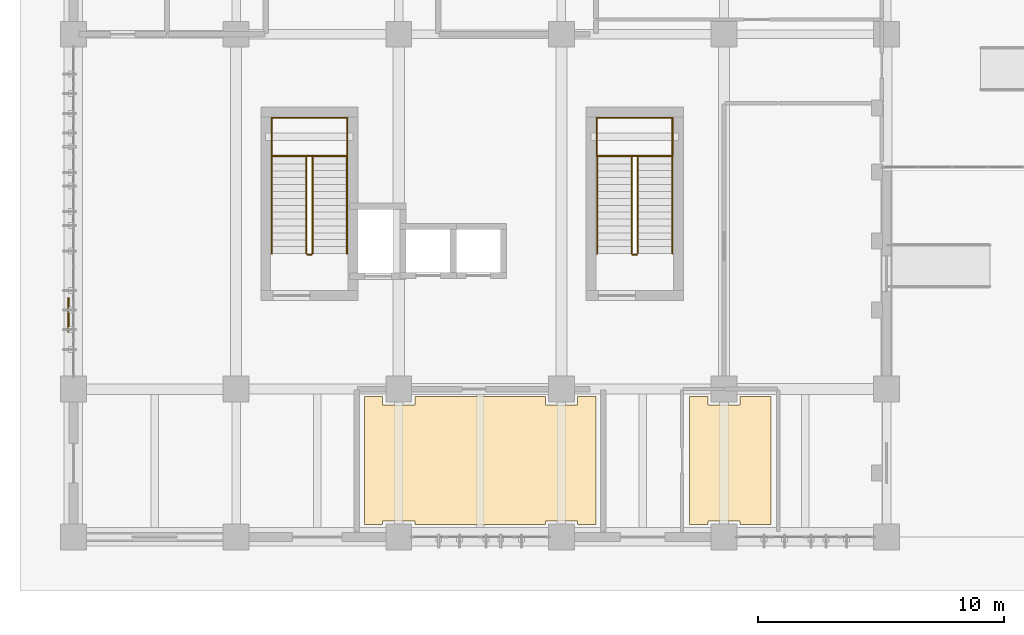
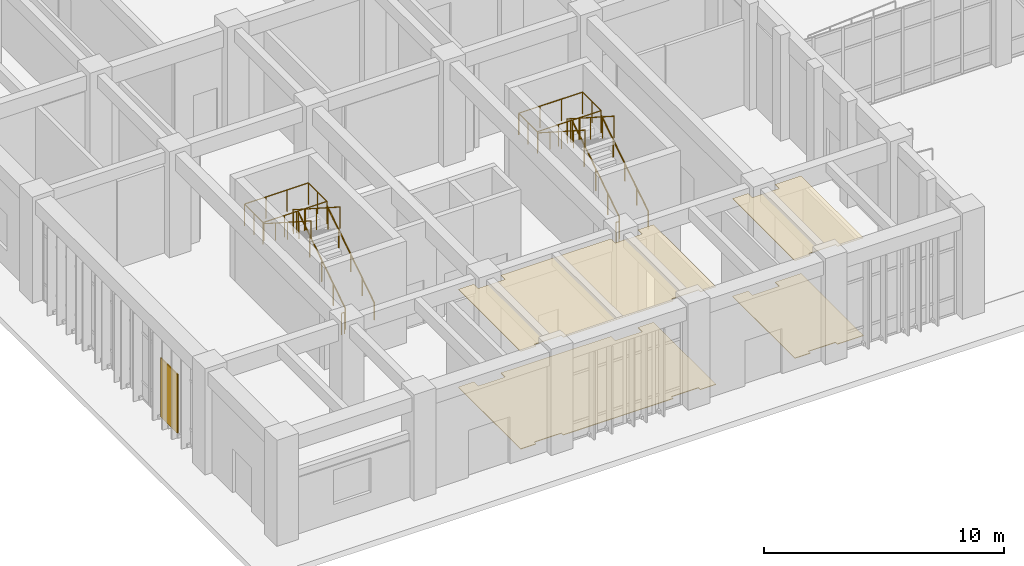
# One storey, part 61 of 70: 16 railings, 5 coverings.
"""IFC4 building model written with IfcOpenShell, lengths in metres."""

from ifc_helpers import new_model, si_unit, direction, frame, origin, origin_2d, place, context, subcontext, project, spatial, polyline, rectangle, circle, outline, extrude, material, layer, layer_set, type_object, element, save


model = new_model("IFC4")

# Units and contexts
model_context = context("Model", 3, precision=1e-05, world=origin(), true_north=direction((0.0, 1.0)))
body_context = subcontext(model_context, "Body", "Model", "MODEL_VIEW")
ifc_project = project(units=[si_unit("LENGTHUNIT", "METRE"), si_unit("AREAUNIT", "SQUARE_METRE"), si_unit("VOLUMEUNIT", "CUBIC_METRE"), si_unit("PLANEANGLEUNIT", "RADIAN"), si_unit("MASSUNIT", "GRAM", prefix="KILO")], contexts=[model_context])

# Site, building, storey
site_placement = place(None, origin())
site = spatial("IfcSite", under=ifc_project, at=site_placement, CompositionType="ELEMENT")
building_placement = place(site_placement, origin())
building = spatial("IfcBuilding", under=site, at=building_placement, Name="Miralva Faculty of Natural Sciences", CompositionType="ELEMENT")
storey_placement = place(building_placement, origin())
storey = spatial("IfcBuildingStorey", under=building, at=storey_placement, Name="L00", CompositionType="ELEMENT", Elevation=0.0)

# Coverings
ifc_material_1 = material(Name="Volcanic tuff architectural stone", Category="masonry")
ifc_layer_1 = layer(ifc_material_1, 0.044921875, Name="COV-CD01")
ifc_layer_set_1 = layer_set([ifc_layer_1], Name="Volcanic tuff architectural stone")
covering_type_1 = type_object("IfcCoveringType", Name="COV-CD01", PredefinedType="CLADDING", material=ifc_layer_set_1)
covering_1_placement = place(storey_placement, frame((2.800048828125, 12.0, 0.300048828125), z_axis=(0.0, 0.0, 1.0), x_axis=(1.0, 0.0, 0.0)))
element("IfcCovering", 1, at=covering_1_placement, inside=storey, type_object=covering_type_1, Name="Volcanic tuff stone corner fascia cladding L00", PredefinedType="CLADDING", context=body_context, shape_type="SweptSolid", body=[
    extrude(rectangle(XDim=0.044921875, YDim=1.39990234375, at=origin_2d()), origin(), (0.0, 0.0, 1.0), 3.0),
])
ifc_material_2 = material(Name="Acoustic mineral-fibre board")
ifc_layer_2 = layer(ifc_material_2, 0.02197265625, Name="COV-CL01")
ifc_layer_set_2 = layer_set([ifc_layer_2], Name="Acoustic mineral-fibre board")
covering_type_2 = type_object("IfcCoveringType", Name="COV-CL01", PredefinedType="CEILING", material=ifc_layer_set_2)
covering_2_placement = place(storey_placement, frame((0.0, 0.0, 4.97802734375)))
element("IfcCovering", 2, at=covering_2_placement, inside=storey, type_object=covering_type_2, Name="Suspended acoustic ceiling L00-02", PredefinedType="CEILING", context=body_context, shape_type="SweptSolid", body=[
    extrude(outline(polyline([(23.449951171875, 3.64990234375), (22.14990234375, 3.64990234375), (22.14990234375, 3.5), (16.85009765625, 3.5), (16.85009765625, 3.64990234375), (15.550048828125, 3.64990234375), (15.550048828125, 3.5), (14.800048828125, 3.5), (14.800048828125, 8.699951171875), (15.550048828125, 8.699951171875), (15.550048828125, 8.35009765625), (16.85009765625, 8.35009765625), (16.85009765625, 8.699951171875), (22.14990234375, 8.699951171875), (22.14990234375, 8.35009765625), (23.449951171875, 8.35009765625), (23.449951171875, 8.699951171875), (24.199951171875, 8.699951171875), (24.199951171875, 3.5), (23.449951171875, 3.5), (23.449951171875, 3.64990234375)])), origin(), (0.0, 0.0, 1.0), 0.02197265625),
])
covering_3_placement = place(storey_placement, frame((0.0, 0.0, 4.97802734375)))
element("IfcCovering", 3, at=covering_3_placement, inside=storey, type_object=covering_type_2, Name="Suspended acoustic ceiling L00-03", PredefinedType="CEILING", context=body_context, shape_type="SweptSolid", body=[
    extrude(outline(polyline([(28.0, 8.699951171875), (28.75, 8.699951171875), (28.75, 8.35009765625), (30.050048828125, 8.35009765625), (30.050048828125, 8.699951171875), (31.300048828125, 8.699951171875), (31.300048828125, 3.5), (30.050048828125, 3.5), (30.050048828125, 3.64990234375), (28.75, 3.64990234375), (28.75, 3.5), (28.0, 3.5), (28.0, 8.699951171875)])), origin(), (0.0, 0.0, 1.0), 0.02197265625),
])
ifc_material_3 = material(Name="Polished terrazzo flooring")
ifc_layer_3 = layer(ifc_material_3, 0.030029296875, Name="COV-FL01")
ifc_layer_set_3 = layer_set([ifc_layer_3], Name="Polished terrazzo flooring")
covering_type_3 = type_object("IfcCoveringType", Name="COV-FL01", PredefinedType="FLOORING", material=ifc_layer_set_3)
covering_4_placement = place(storey_placement, origin())
element("IfcCovering", 4, at=covering_4_placement, inside=storey, type_object=covering_type_3, Name="Finished flooring L00-02", PredefinedType="FLOORING", context=body_context, shape_type="SweptSolid", body=[
    extrude(outline(polyline([(23.449951171875, 3.64990234375), (22.14990234375, 3.64990234375), (22.14990234375, 3.5), (16.85009765625, 3.5), (16.85009765625, 3.64990234375), (15.550048828125, 3.64990234375), (15.550048828125, 3.5), (14.800048828125, 3.5), (14.800048828125, 8.699951171875), (15.550048828125, 8.699951171875), (15.550048828125, 8.35009765625), (16.85009765625, 8.35009765625), (16.85009765625, 8.699951171875), (22.14990234375, 8.699951171875), (22.14990234375, 8.35009765625), (23.449951171875, 8.35009765625), (23.449951171875, 8.699951171875), (24.199951171875, 8.699951171875), (24.199951171875, 3.5), (23.449951171875, 3.5), (23.449951171875, 3.64990234375)])), origin(), (0.0, 0.0, 1.0), 0.030029296875),
])
covering_5_placement = place(storey_placement, origin())
element("IfcCovering", 5, at=covering_5_placement, inside=storey, type_object=covering_type_3, Name="Finished flooring L00-03", PredefinedType="FLOORING", context=body_context, shape_type="SweptSolid", body=[
    extrude(outline(polyline([(28.0, 8.699951171875), (28.75, 8.699951171875), (28.75, 8.35009765625), (30.050048828125, 8.35009765625), (30.050048828125, 8.699951171875), (31.300048828125, 8.699951171875), (31.300048828125, 3.5), (30.050048828125, 3.5), (30.050048828125, 3.64990234375), (28.75, 3.64990234375), (28.75, 3.5), (28.0, 3.5), (28.0, 8.699951171875)])), origin(), (0.0, 0.0, 1.0), 0.030029296875),
])

# Railings
ifc_material_4 = material(Name="Steel S355", Category="steel")
railing_type_1 = type_object("IfcRailingType", Name="RL-GR01", PredefinedType="GUARDRAIL", material=ifc_material_4)
railing_1_placement = place(storey_placement, frame((12.699951171875, 14.5, 0.179931640625)))
element("IfcRailing", 6, at=railing_1_placement, inside=storey, type_object=railing_type_1, Name="Stair Core C1 safety guard L00-1", PredefinedType="GUARDRAIL", context=body_context, shape_type="SweptSolid", body=[
    extrude(circle(Radius=0.02392578125, at=origin_2d()), frame((0.0, 0.0, 1.09619140625), z_axis=(0.0, 0.841171666519, 0.540768182723), x_axis=(-1.0, 0.0, 0.0)), (0.0, 0.0, 1.0), 4.66015625),
    extrude(circle(Radius=0.02099609375, at=origin_2d()), origin(), (0.0, 0.0, 1.0), 1.072021484375),
    extrude(circle(Radius=0.02099609375, at=origin_2d()), frame((0.0, 0.97998046875, 0.6298828125)), (0.0, 0.0, 1.0), 1.072021484375),
    extrude(circle(Radius=0.02099609375, at=origin_2d()), frame((0.0, 1.9599609375, 1.260009765625)), (0.0, 0.0, 1.0), 1.072021484375),
    extrude(circle(Radius=0.02099609375, at=origin_2d()), frame((0.0, 2.93994140625, 1.89013671875)), (0.0, 0.0, 1.0), 1.072021484375),
    extrude(circle(Radius=0.02099609375, at=origin_2d()), frame((0.0, 3.919921875, 2.52001953125)), (0.0, 0.0, 1.0), 1.072021484375),
])
railing_2_placement = place(storey_placement, frame((12.64990234375, 18.469970703125, 2.699951171875)))
element("IfcRailing", 7, at=railing_2_placement, inside=storey, type_object=railing_type_1, Name="Stair Core C1 safety guard L00-2", PredefinedType="GUARDRAIL", context=body_context, shape_type="SweptSolid", body=[
    extrude(circle(Radius=0.02392578125, at=origin_2d()), frame((0.0, 0.0, 1.09619140625), z_axis=(-1.0, 0.0, 0.0), x_axis=(0.0, -1.0, 0.0)), (0.0, 0.0, 1.0), 0.14990234375),
    extrude(circle(Radius=0.02099609375, at=origin_2d()), origin(), (0.0, 0.0, 1.0), 1.072021484375),
    extrude(circle(Radius=0.02099609375, at=origin_2d()), frame((-0.14990234375, 0.0, 0.0)), (0.0, 0.0, 1.0), 1.072021484375),
])
railing_3_placement = place(storey_placement, frame((12.449951171875, 18.419921875, 2.8798828125)))
element("IfcRailing", 8, at=railing_3_placement, inside=storey, type_object=railing_type_1, Name="Stair Core C1 safety guard L00-3", PredefinedType="GUARDRAIL", context=body_context, shape_type="SweptSolid", body=[
    extrude(circle(Radius=0.02392578125, at=origin_2d()), frame((0.0, 0.0, 1.09619140625), z_axis=(0.0, -0.841171666519, 0.540768182723), x_axis=(1.0, 0.0, 0.0)), (0.0, 0.0, 1.0), 4.66015625),
    extrude(circle(Radius=0.02099609375, at=origin_2d()), origin(), (0.0, 0.0, 1.0), 1.072021484375),
    extrude(circle(Radius=0.02099609375, at=origin_2d()), frame((0.0, -0.97998046875, 0.6298828125)), (0.0, 0.0, 1.0), 1.072021484375),
    extrude(circle(Radius=0.02099609375, at=origin_2d()), frame((0.0, -1.9599609375, 1.260009765625)), (0.0, 0.0, 1.0), 1.072021484375),
    extrude(circle(Radius=0.02099609375, at=origin_2d()), frame((0.0, -2.93994140625, 1.89013671875)), (0.0, 0.0, 1.0), 1.072021484375),
    extrude(circle(Radius=0.02099609375, at=origin_2d()), frame((0.0, -3.919921875, 2.52001953125)), (0.0, 0.0, 1.0), 1.072021484375),
])
railing_4_placement = place(storey_placement, frame((12.64990234375, 14.449951171875, 0.0)))
element("IfcRailing", 9, at=railing_4_placement, inside=storey, type_object=railing_type_1, Name="Stair Core C1 safety guard L00-4", PredefinedType="GUARDRAIL", context=body_context, shape_type="SweptSolid", body=[
    extrude(circle(Radius=0.02392578125, at=origin_2d()), frame((0.0, 0.0, 1.09619140625), z_axis=(-1.0, 0.0, 0.0), x_axis=(0.0, -1.0, 0.0)), (0.0, 0.0, 1.0), 0.14990234375),
    extrude(circle(Radius=0.02099609375, at=origin_2d()), origin(), (0.0, 0.0, 1.0), 1.072021484375),
    extrude(circle(Radius=0.02099609375, at=origin_2d()), frame((-0.14990234375, 0.0, 0.0)), (0.0, 0.0, 1.0), 1.072021484375),
])
railing_5_placement = place(storey_placement, frame((11.0400390625, 18.4599609375, 2.699951171875)))
element("IfcRailing", 10, at=railing_5_placement, inside=storey, type_object=railing_type_1, Name="Stair Core C1 half-landing guard L00-1A", PredefinedType="GUARDRAIL", context=body_context, shape_type="SweptSolid", body=[
    extrude(circle(Radius=0.02392578125, at=origin_2d()), frame((0.0, 0.0, 1.09619140625), z_axis=(0.0, 1.0, 0.0), x_axis=(-1.0, 0.0, 0.0)), (0.0, 0.0, 1.0), 1.550048828125),
    extrude(circle(Radius=0.02392578125, at=origin_2d()), frame((0.0, 1.550048828125, 1.09619140625), z_axis=(1.0, 0.0, 0.0), x_axis=(0.0, 1.0, 0.0)), (0.0, 0.0, 1.0), 3.070068359375),
    extrude(circle(Radius=0.02099609375, at=origin_2d()), origin(), (0.0, 0.0, 1.0), 1.072021484375),
    extrude(circle(Radius=0.02099609375, at=origin_2d()), frame((0.0, 0.77490234375, 0.0)), (0.0, 0.0, 1.0), 1.072021484375),
    extrude(circle(Radius=0.02099609375, at=origin_2d()), frame((0.0, 1.550048828125, 0.0)), (0.0, 0.0, 1.0), 1.072021484375),
    extrude(circle(Radius=0.02099609375, at=origin_2d()), frame((1.0234375, 1.550048828125, 0.0)), (0.0, 0.0, 1.0), 1.072021484375),
    extrude(circle(Radius=0.02099609375, at=origin_2d()), frame((2.046630859375, 1.550048828125, 0.0)), (0.0, 0.0, 1.0), 1.072021484375),
    extrude(circle(Radius=0.02099609375, at=origin_2d()), frame((3.070068359375, 1.550048828125, 0.0)), (0.0, 0.0, 1.0), 1.072021484375),
])
railing_6_placement = place(storey_placement, frame((14.110107421875, 20.010009765625, 2.699951171875)))
element("IfcRailing", 11, at=railing_6_placement, inside=storey, type_object=railing_type_1, Name="Stair Core C1 half-landing guard L00-1B", PredefinedType="GUARDRAIL", context=body_context, shape_type="SweptSolid", body=[
    extrude(circle(Radius=0.02392578125, at=origin_2d()), frame((0.0, 0.0, 1.09619140625), z_axis=(0.0, -1.0, 0.0), x_axis=(1.0, 0.0, 0.0)), (0.0, 0.0, 1.0), 1.550048828125),
    extrude(circle(Radius=0.02392578125, at=origin_2d()), frame((0.0, -1.550048828125, 1.09619140625), z_axis=(-1.0, 0.0, 0.0), x_axis=(0.0, -1.0, 0.0)), (0.0, 0.0, 1.0), 3.070068359375),
    extrude(circle(Radius=0.02099609375, at=origin_2d()), origin(), (0.0, 0.0, 1.0), 1.072021484375),
    extrude(circle(Radius=0.02099609375, at=origin_2d()), frame((0.0, -0.77490234375, 0.0)), (0.0, 0.0, 1.0), 1.072021484375),
    extrude(circle(Radius=0.02099609375, at=origin_2d()), frame((0.0, -1.550048828125, 0.0)), (0.0, 0.0, 1.0), 1.072021484375),
    extrude(circle(Radius=0.02099609375, at=origin_2d()), frame((-1.0234375, -1.550048828125, 0.0)), (0.0, 0.0, 1.0), 1.072021484375),
    extrude(circle(Radius=0.02099609375, at=origin_2d()), frame((-2.046630859375, -1.550048828125, 0.0)), (0.0, 0.0, 1.0), 1.072021484375),
    extrude(circle(Radius=0.02099609375, at=origin_2d()), frame((-3.070068359375, -1.550048828125, 0.0)), (0.0, 0.0, 1.0), 1.072021484375),
])
railing_7_placement = place(storey_placement, frame((25.89990234375, 14.5, 0.179931640625)))
element("IfcRailing", 12, at=railing_7_placement, inside=storey, type_object=railing_type_1, Name="Stair Core C1B safety guard L00-1", PredefinedType="GUARDRAIL", context=body_context, shape_type="SweptSolid", body=[
    extrude(circle(Radius=0.02392578125, at=origin_2d()), frame((0.0, 0.0, 1.09619140625), z_axis=(0.0, 0.841171666519, 0.540768182723), x_axis=(-1.0, 0.0, 0.0)), (0.0, 0.0, 1.0), 4.66015625),
    extrude(circle(Radius=0.02099609375, at=origin_2d()), origin(), (0.0, 0.0, 1.0), 1.072021484375),
    extrude(circle(Radius=0.02099609375, at=origin_2d()), frame((0.0, 0.97998046875, 0.6298828125)), (0.0, 0.0, 1.0), 1.072021484375),
    extrude(circle(Radius=0.02099609375, at=origin_2d()), frame((0.0, 1.9599609375, 1.260009765625)), (0.0, 0.0, 1.0), 1.072021484375),
    extrude(circle(Radius=0.02099609375, at=origin_2d()), frame((0.0, 2.93994140625, 1.89013671875)), (0.0, 0.0, 1.0), 1.072021484375),
    extrude(circle(Radius=0.02099609375, at=origin_2d()), frame((0.0, 3.919921875, 2.52001953125)), (0.0, 0.0, 1.0), 1.072021484375),
])
railing_8_placement = place(storey_placement, frame((25.85009765625, 18.469970703125, 2.699951171875)))
element("IfcRailing", 13, at=railing_8_placement, inside=storey, type_object=railing_type_1, Name="Stair Core C1B safety guard L00-2", PredefinedType="GUARDRAIL", context=body_context, shape_type="SweptSolid", body=[
    extrude(circle(Radius=0.02392578125, at=origin_2d()), frame((0.0, 0.0, 1.09619140625), z_axis=(-1.0, 0.0, 0.0), x_axis=(0.0, -1.0, 0.0)), (0.0, 0.0, 1.0), 0.150146484375),
    extrude(circle(Radius=0.02099609375, at=origin_2d()), origin(), (0.0, 0.0, 1.0), 1.072021484375),
    extrude(circle(Radius=0.02099609375, at=origin_2d()), frame((-0.150146484375, 0.0, 0.0)), (0.0, 0.0, 1.0), 1.072021484375),
])
railing_9_placement = place(storey_placement, frame((25.64990234375, 18.419921875, 2.8798828125)))
element("IfcRailing", 14, at=railing_9_placement, inside=storey, type_object=railing_type_1, Name="Stair Core C1B safety guard L00-3", PredefinedType="GUARDRAIL", context=body_context, shape_type="SweptSolid", body=[
    extrude(circle(Radius=0.02392578125, at=origin_2d()), frame((0.0, 0.0, 1.09619140625), z_axis=(0.0, -0.841171666519, 0.540768182723), x_axis=(1.0, 0.0, 0.0)), (0.0, 0.0, 1.0), 4.66015625),
    extrude(circle(Radius=0.02099609375, at=origin_2d()), origin(), (0.0, 0.0, 1.0), 1.072021484375),
    extrude(circle(Radius=0.02099609375, at=origin_2d()), frame((0.0, -0.97998046875, 0.6298828125)), (0.0, 0.0, 1.0), 1.072021484375),
    extrude(circle(Radius=0.02099609375, at=origin_2d()), frame((0.0, -1.9599609375, 1.260009765625)), (0.0, 0.0, 1.0), 1.072021484375),
    extrude(circle(Radius=0.02099609375, at=origin_2d()), frame((0.0, -2.93994140625, 1.89013671875)), (0.0, 0.0, 1.0), 1.072021484375),
    extrude(circle(Radius=0.02099609375, at=origin_2d()), frame((0.0, -3.919921875, 2.52001953125)), (0.0, 0.0, 1.0), 1.072021484375),
])
railing_10_placement = place(storey_placement, frame((25.85009765625, 14.449951171875, 0.0)))
element("IfcRailing", 15, at=railing_10_placement, inside=storey, type_object=railing_type_1, Name="Stair Core C1B safety guard L00-4", PredefinedType="GUARDRAIL", context=body_context, shape_type="SweptSolid", body=[
    extrude(circle(Radius=0.02392578125, at=origin_2d()), frame((0.0, 0.0, 1.09619140625), z_axis=(-1.0, 0.0, 0.0), x_axis=(0.0, -1.0, 0.0)), (0.0, 0.0, 1.0), 0.150146484375),
    extrude(circle(Radius=0.02099609375, at=origin_2d()), origin(), (0.0, 0.0, 1.0), 1.072021484375),
    extrude(circle(Radius=0.02099609375, at=origin_2d()), frame((-0.150146484375, 0.0, 0.0)), (0.0, 0.0, 1.0), 1.072021484375),
])
railing_11_placement = place(storey_placement, frame((24.239990234375, 18.4599609375, 2.699951171875)))
element("IfcRailing", 16, at=railing_11_placement, inside=storey, type_object=railing_type_1, Name="Stair Core C1B half-landing guard L00-1A", PredefinedType="GUARDRAIL", context=body_context, shape_type="SweptSolid", body=[
    extrude(circle(Radius=0.02392578125, at=origin_2d()), frame((0.0, 0.0, 1.09619140625), z_axis=(0.0, 1.0, 0.0), x_axis=(-1.0, 0.0, 0.0)), (0.0, 0.0, 1.0), 1.550048828125),
    extrude(circle(Radius=0.02392578125, at=origin_2d()), frame((0.0, 1.550048828125, 1.09619140625), z_axis=(1.0, 0.0, 0.0), x_axis=(0.0, 1.0, 0.0)), (0.0, 0.0, 1.0), 3.070068359375),
    extrude(circle(Radius=0.02099609375, at=origin_2d()), origin(), (0.0, 0.0, 1.0), 1.072021484375),
    extrude(circle(Radius=0.02099609375, at=origin_2d()), frame((0.0, 0.77490234375, 0.0)), (0.0, 0.0, 1.0), 1.072021484375),
    extrude(circle(Radius=0.02099609375, at=origin_2d()), frame((0.0, 1.550048828125, 0.0)), (0.0, 0.0, 1.0), 1.072021484375),
    extrude(circle(Radius=0.02099609375, at=origin_2d()), frame((1.0234375, 1.550048828125, 0.0)), (0.0, 0.0, 1.0), 1.072021484375),
    extrude(circle(Radius=0.02099609375, at=origin_2d()), frame((2.046630859375, 1.550048828125, 0.0)), (0.0, 0.0, 1.0), 1.072021484375),
    extrude(circle(Radius=0.02099609375, at=origin_2d()), frame((3.070068359375, 1.550048828125, 0.0)), (0.0, 0.0, 1.0), 1.072021484375),
])
railing_12_placement = place(storey_placement, frame((27.31005859375, 20.010009765625, 2.699951171875)))
element("IfcRailing", 17, at=railing_12_placement, inside=storey, type_object=railing_type_1, Name="Stair Core C1B half-landing guard L00-1B", PredefinedType="GUARDRAIL", context=body_context, shape_type="SweptSolid", body=[
    extrude(circle(Radius=0.02392578125, at=origin_2d()), frame((0.0, 0.0, 1.09619140625), z_axis=(0.0, -1.0, 0.0), x_axis=(1.0, 0.0, 0.0)), (0.0, 0.0, 1.0), 1.550048828125),
    extrude(circle(Radius=0.02392578125, at=origin_2d()), frame((0.0, -1.550048828125, 1.09619140625), z_axis=(-1.0, 0.0, 0.0), x_axis=(0.0, -1.0, 0.0)), (0.0, 0.0, 1.0), 3.070068359375),
    extrude(circle(Radius=0.02099609375, at=origin_2d()), origin(), (0.0, 0.0, 1.0), 1.072021484375),
    extrude(circle(Radius=0.02099609375, at=origin_2d()), frame((0.0, -0.77490234375, 0.0)), (0.0, 0.0, 1.0), 1.072021484375),
    extrude(circle(Radius=0.02099609375, at=origin_2d()), frame((0.0, -1.550048828125, 0.0)), (0.0, 0.0, 1.0), 1.072021484375),
    extrude(circle(Radius=0.02099609375, at=origin_2d()), frame((-1.0234375, -1.550048828125, 0.0)), (0.0, 0.0, 1.0), 1.072021484375),
    extrude(circle(Radius=0.02099609375, at=origin_2d()), frame((-2.046630859375, -1.550048828125, 0.0)), (0.0, 0.0, 1.0), 1.072021484375),
    extrude(circle(Radius=0.02099609375, at=origin_2d()), frame((-3.070068359375, -1.550048828125, 0.0)), (0.0, 0.0, 1.0), 1.072021484375),
])
railing_type_2 = type_object("IfcRailingType", Name="RL-HR01", PredefinedType="HANDRAIL", material=ifc_material_4)
railing_13_placement = place(storey_placement, frame((14.10009765625, 14.5, 0.179931640625)))
element("IfcRailing", 18, at=railing_13_placement, inside=storey, type_object=railing_type_2, Name="Stair Core C1 handrail L00-1", PredefinedType="HANDRAIL", context=body_context, shape_type="SweptSolid", body=[
    extrude(circle(Radius=0.02392578125, at=origin_2d()), frame((0.0, 0.0, 0.8759765625), z_axis=(0.0, 0.841171666519, 0.540768182723), x_axis=(-1.0, 0.0, 0.0)), (0.0, 0.0, 1.0), 4.66015625),
    extrude(circle(Radius=0.02099609375, at=origin_2d()), origin(), (0.0, 0.0, 1.0), 0.851806640625),
    extrude(circle(Radius=0.02099609375, at=origin_2d()), frame((0.0, 0.97998046875, 0.6298828125)), (0.0, 0.0, 1.0), 0.851806640625),
    extrude(circle(Radius=0.02099609375, at=origin_2d()), frame((0.0, 1.9599609375, 1.260009765625)), (0.0, 0.0, 1.0), 0.851806640625),
    extrude(circle(Radius=0.02099609375, at=origin_2d()), frame((0.0, 2.93994140625, 1.89013671875)), (0.0, 0.0, 1.0), 0.851806640625),
    extrude(circle(Radius=0.02099609375, at=origin_2d()), frame((0.0, 3.919921875, 2.52001953125)), (0.0, 0.0, 1.0), 0.851806640625),
])
railing_14_placement = place(storey_placement, frame((11.050048828125, 18.419921875, 2.8798828125)))
element("IfcRailing", 19, at=railing_14_placement, inside=storey, type_object=railing_type_2, Name="Stair Core C1 handrail L00-2", PredefinedType="HANDRAIL", context=body_context, shape_type="SweptSolid", body=[
    extrude(circle(Radius=0.02392578125, at=origin_2d()), frame((0.0, 0.0, 0.8759765625), z_axis=(0.0, -0.841171666519, 0.540768182723), x_axis=(1.0, 0.0, 0.0)), (0.0, 0.0, 1.0), 4.66015625),
    extrude(circle(Radius=0.02099609375, at=origin_2d()), origin(), (0.0, 0.0, 1.0), 0.851806640625),
    extrude(circle(Radius=0.02099609375, at=origin_2d()), frame((0.0, -0.97998046875, 0.6298828125)), (0.0, 0.0, 1.0), 0.851806640625),
    extrude(circle(Radius=0.02099609375, at=origin_2d()), frame((0.0, -1.9599609375, 1.260009765625)), (0.0, 0.0, 1.0), 0.851806640625),
    extrude(circle(Radius=0.02099609375, at=origin_2d()), frame((0.0, -2.93994140625, 1.89013671875)), (0.0, 0.0, 1.0), 0.851806640625),
    extrude(circle(Radius=0.02099609375, at=origin_2d()), frame((0.0, -3.919921875, 2.52001953125)), (0.0, 0.0, 1.0), 0.851806640625),
])
railing_15_placement = place(storey_placement, frame((27.300048828125, 14.5, 0.179931640625)))
element("IfcRailing", 20, at=railing_15_placement, inside=storey, type_object=railing_type_2, Name="Stair Core C1B handrail L00-1", PredefinedType="HANDRAIL", context=body_context, shape_type="SweptSolid", body=[
    extrude(circle(Radius=0.02392578125, at=origin_2d()), frame((0.0, 0.0, 0.8759765625), z_axis=(0.0, 0.841171666519, 0.540768182723), x_axis=(-1.0, 0.0, 0.0)), (0.0, 0.0, 1.0), 4.66015625),
    extrude(circle(Radius=0.02099609375, at=origin_2d()), origin(), (0.0, 0.0, 1.0), 0.851806640625),
    extrude(circle(Radius=0.02099609375, at=origin_2d()), frame((0.0, 0.97998046875, 0.6298828125)), (0.0, 0.0, 1.0), 0.851806640625),
    extrude(circle(Radius=0.02099609375, at=origin_2d()), frame((0.0, 1.9599609375, 1.260009765625)), (0.0, 0.0, 1.0), 0.851806640625),
    extrude(circle(Radius=0.02099609375, at=origin_2d()), frame((0.0, 2.93994140625, 1.89013671875)), (0.0, 0.0, 1.0), 0.851806640625),
    extrude(circle(Radius=0.02099609375, at=origin_2d()), frame((0.0, 3.919921875, 2.52001953125)), (0.0, 0.0, 1.0), 0.851806640625),
])
railing_16_placement = place(storey_placement, frame((24.25, 18.419921875, 2.8798828125)))
element("IfcRailing", 21, at=railing_16_placement, inside=storey, type_object=railing_type_2, Name="Stair Core C1B handrail L00-2", PredefinedType="HANDRAIL", context=body_context, shape_type="SweptSolid", body=[
    extrude(circle(Radius=0.02392578125, at=origin_2d()), frame((0.0, 0.0, 0.8759765625), z_axis=(0.0, -0.841171666519, 0.540768182723), x_axis=(1.0, 0.0, 0.0)), (0.0, 0.0, 1.0), 4.66015625),
    extrude(circle(Radius=0.02099609375, at=origin_2d()), origin(), (0.0, 0.0, 1.0), 0.851806640625),
    extrude(circle(Radius=0.02099609375, at=origin_2d()), frame((0.0, -0.97998046875, 0.6298828125)), (0.0, 0.0, 1.0), 0.851806640625),
    extrude(circle(Radius=0.02099609375, at=origin_2d()), frame((0.0, -1.9599609375, 1.260009765625)), (0.0, 0.0, 1.0), 0.851806640625),
    extrude(circle(Radius=0.02099609375, at=origin_2d()), frame((0.0, -2.93994140625, 1.89013671875)), (0.0, 0.0, 1.0), 0.851806640625),
    extrude(circle(Radius=0.02099609375, at=origin_2d()), frame((0.0, -3.919921875, 2.52001953125)), (0.0, 0.0, 1.0), 0.851806640625),
])

save(model, "model.ifc")
